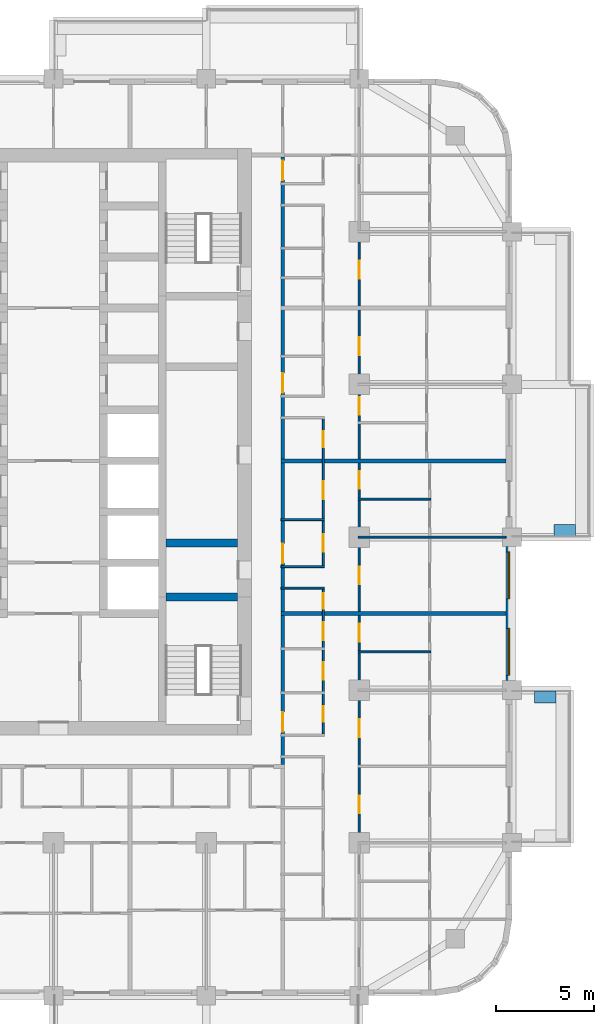
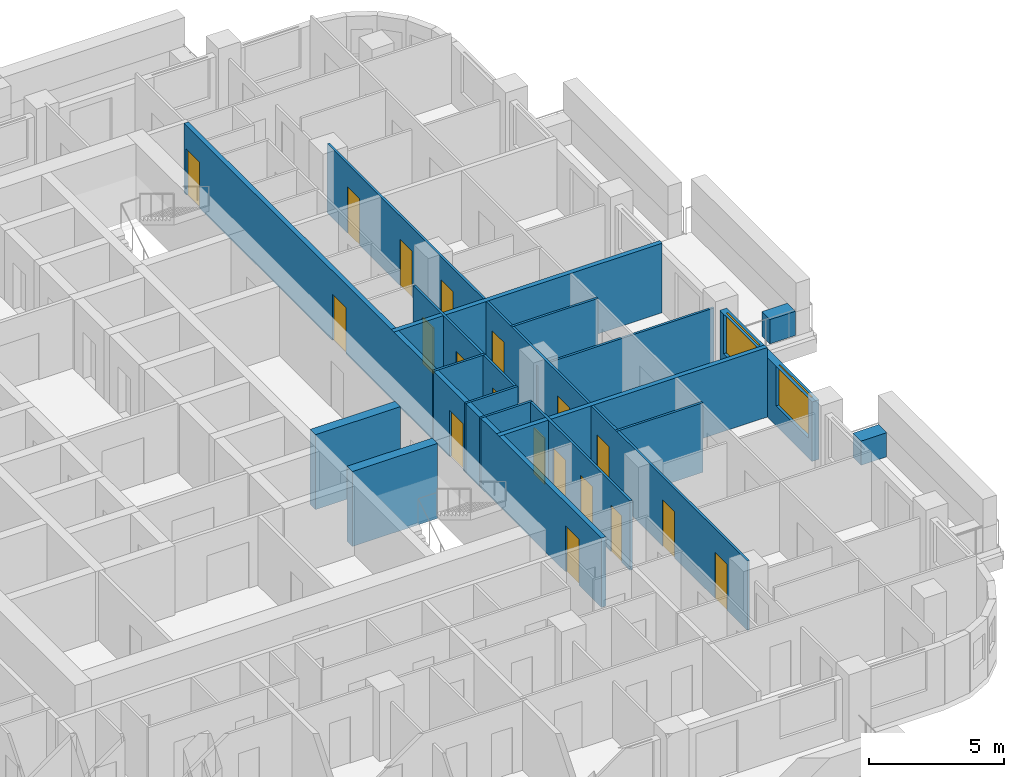
# One storey, part 9 of 18: 19 doors, 17 walls, 2 windows, 21 openings.
"""IFC4 building model written with IfcOpenShell, lengths in metres."""

from ifc_helpers import new_model, si_unit, direction, frame, frame_2d, origin, place, context, subcontext, project, spatial, rectangle, extrude, material, layer, layer_set, type_object, element, fill, save


model = new_model("IFC4")

# Units and contexts
model_context = context("Model", 3, precision=1e-05, world=origin(), true_north=direction((0.0, 1.0)))
body_context = subcontext(model_context, "Body", "Model", "MODEL_VIEW")
ifc_project = project(units=[si_unit("LENGTHUNIT", "METRE"), si_unit("AREAUNIT", "SQUARE_METRE"), si_unit("VOLUMEUNIT", "CUBIC_METRE"), si_unit("PLANEANGLEUNIT", "RADIAN"), si_unit("MASSUNIT", "GRAM", prefix="KILO")], contexts=[model_context])

# Site, building, storey
site_placement = place(None, origin())
site = spatial("IfcSite", under=ifc_project, at=site_placement, CompositionType="ELEMENT")
building_placement = place(site_placement, origin())
building = spatial("IfcBuilding", under=site, at=building_placement, Name="Ludao Terraces", CompositionType="ELEMENT")
storey_placement = place(building_placement, frame((0.0, 0.0, 75.0)))
storey = spatial("IfcBuildingStorey", under=building, at=storey_placement, Name="L20", CompositionType="ELEMENT", Elevation=75.0)

# Walls
ifc_material_1 = material(Name="Concrete C40", Category="concrete")
ifc_layer_1 = layer(ifc_material_1, 0.60009765625)
ifc_layer_set_1 = layer_set([ifc_layer_1], Name="ENV Planter trough 600")
wall_type_1 = type_object("IfcWallType", Name="ENV Planter trough 600", PredefinedType="USERDEFINED", material=ifc_layer_set_1)
for number, where, z_axis, x_axis, name in (
    (1, (110.64990234375, 56.85009765625, 0.0), (0.0, 0.0, 1.0), (-1.0, 0.0, 0.0), "PL-L20-E1-SB"),
    (2, (111.64990234375, 65.35009765625, 0.0), (0.0, 0.0, 1.0), (-1.0, 0.0, 0.0), "PL-L20-E3-SA"),
):
    element("IfcWall", number, at=place(storey_placement, frame(where, z_axis=z_axis, x_axis=x_axis)), inside=storey, type_object=wall_type_1, Name=name, ObjectType="PLANTER", PredefinedType="USERDEFINED", context=body_context, shape_type="SweptSolid", body=[
        extrude(rectangle(XDim=1.099853515625, YDim=0.60009765625, at=frame_2d((0.5498046875, 0.0))), origin(), (0.0, 0.0, 1.0), 1.10009765625),
    ])

# Wall, openings, windows
ifc_material_2 = material(Name="Granite cladding", Category="masonry")
ifc_layer_2 = layer(ifc_material_2, 0.0400390625, Category="stone")
ifc_material_3 = material(Name="Mineral wool")
ifc_layer_3 = layer(ifc_material_3, 0.06005859375)
ifc_layer_4 = layer(ifc_material_1, 0.199951171875, Category="concrete")
ifc_layer_set_2 = layer_set([ifc_layer_2, ifc_layer_3, ifc_layer_4], Name="ENV Stone-clad wall 300")
wall_type_2 = type_object("IfcWallType", Name="ENV Stone-clad wall 300", PredefinedType="SOLIDWALL", material=ifc_layer_set_2)
wall_1_placement = place(storey_placement, frame((108.25, 57.675048828125, 0.0), z_axis=(0.0, 0.0, 1.0), x_axis=(0.0, 1.0, 0.0)))
wall_1 = element("IfcWall", 3, at=wall_1_placement, inside=storey, type_object=wall_type_2, Name="EW-L20-E3", PredefinedType="SOLIDWALL", context=body_context, shape_type="SweptSolid", body=[
    extrude(rectangle(XDim=6.849853515625, YDim=0.300048828125, at=frame_2d((3.4248046875, 0.0))), origin(), (0.0, 0.0, 1.0), 2.699951171875),
])
opening_1_placement = place(wall_1_placement, frame((0.27490234375, 0.0, 0.89990234375)))
opening_1 = element("IfcOpeningElement", 4, at=opening_1_placement, cuts=wall_1, Name="Opening W1", PredefinedType="OPENING", context=body_context, shape_type="SweptSolid", body=[
    extrude(rectangle(XDim=2.39990234375, YDim=1.800048828125, at=frame_2d((1.199951171875, 0.89990234375))), frame((0.0, 0.16015625, 0.0), z_axis=(0.0, -1.0, 0.0), x_axis=(1.0, 0.0, 0.0)), (0.0, 0.0, 1.0), 0.320068359375),
])
opening_2_placement = place(wall_1_placement, frame((4.175048828125, 0.0, 0.89990234375)))
opening_2 = element("IfcOpeningElement", 5, at=opening_2_placement, cuts=wall_1, Name="Opening W1", PredefinedType="OPENING", context=body_context, shape_type="SweptSolid", body=[
    extrude(rectangle(XDim=2.39990234375, YDim=1.800048828125, at=frame_2d((1.199951171875, 0.89990234375))), frame((0.0, 0.16015625, 0.0), z_axis=(0.0, -1.0, 0.0), x_axis=(1.0, 0.0, 0.0)), (0.0, 0.0, 1.0), 0.320068359375),
])
ifc_material_4 = material(Name="Clear glass in aluminium frame", Category="aluminium")
ifc_layer_5 = layer(ifc_material_4, 0.06005859375)
ifc_layer_set_3 = layer_set([ifc_layer_5], Name="ENV Window W1 2400x1800")
window_type = type_object("IfcWindowType", Name="ENV Window W1 2400x1800", PartitioningType="DOUBLE_PANEL_VERTICAL", PredefinedType="WINDOW", material=ifc_layer_set_3)
window_1_placement = place(opening_1_placement, origin())
window_1 = element("IfcWindow", 6, at=window_1_placement, inside=storey, type_object=window_type, Name="W-L20-E3-1", OverallHeight=1.800048828125, OverallWidth=2.39990234375, PartitioningType="DOUBLE_PANEL_VERTICAL", PredefinedType="WINDOW", context=body_context, shape_type="SweptSolid", body=[
    extrude(rectangle(XDim=2.39990234375, YDim=1.800048828125, at=frame_2d((1.199951171875, 0.89990234375))), frame((0.0, 0.030029296875, 0.0), z_axis=(0.0, -1.0, 0.0), x_axis=(1.0, 0.0, 0.0)), (0.0, 0.0, 1.0), 0.06005859375),
])
fill(opening_1, window_1)
window_2_placement = place(opening_2_placement, origin())
window_2 = element("IfcWindow", 7, at=window_2_placement, inside=storey, type_object=window_type, Name="W-L20-E3-2", OverallHeight=1.800048828125, OverallWidth=2.39990234375, PartitioningType="DOUBLE_PANEL_VERTICAL", PredefinedType="WINDOW", context=body_context, shape_type="SweptSolid", body=[
    extrude(rectangle(XDim=2.39990234375, YDim=1.800048828125, at=frame_2d((1.199951171875, 0.89990234375))), frame((0.0, 0.030029296875, 0.0), z_axis=(0.0, -1.0, 0.0), x_axis=(1.0, 0.0, 0.0)), (0.0, 0.0, 1.0), 0.06005859375),
])
fill(opening_2, window_2)

# Wall, openings, doors
ifc_material_5 = material(Name="Autoclaved aerated concrete block B06 A3.5", Category="concrete")
ifc_layer_6 = layer(ifc_material_5, 0.199951171875)
ifc_layer_set_4 = layer_set([ifc_layer_6], Name="INT Entrance wall 200")
wall_type_3 = type_object("IfcWallType", Name="INT Entrance wall 200", PredefinedType="PARTITIONING", material=ifc_layer_set_4)
wall_2_placement = place(storey_placement, frame((96.699951171875, 53.400146484375, 0.0), z_axis=(0.0, 0.0, 1.0), x_axis=(0.0, 1.0, 0.0)))
wall_2 = element("IfcWall", 8, at=wall_2_placement, inside=storey, type_object=wall_type_3, Name="PW-L20-PW116", PredefinedType="PARTITIONING", context=body_context, shape_type="SweptSolid", body=[
    extrude(rectangle(XDim=31.0, YDim=0.199951171875, at=frame_2d((15.5, 0.0))), origin(), (0.0, 0.0, 1.0), 3.14990234375),
])
opening_3_placement = place(wall_2_placement, frame((1.675048828125, 0.0, 0.0)))
opening_3 = element("IfcOpeningElement", 9, at=opening_3_placement, cuts=wall_2, Name="Opening R06-056", PredefinedType="OPENING", context=body_context, shape_type="SweptSolid", body=[
    extrude(rectangle(XDim=1.0, YDim=2.10009765625, at=frame_2d((0.5, 1.050048828125))), frame((0.0, 0.10986328125, 0.0), z_axis=(0.0, -1.0, 0.0), x_axis=(1.0, 0.0, 0.0)), (0.0, 0.0, 1.0), 0.219970703125),
])
opening_4_placement = place(wall_2_placement, frame((10.27490234375, 0.0, 0.0)))
opening_4 = element("IfcOpeningElement", 10, at=opening_4_placement, cuts=wall_2, Name="Opening R06-083", PredefinedType="OPENING", context=body_context, shape_type="SweptSolid", body=[
    extrude(rectangle(XDim=1.0, YDim=2.10009765625, at=frame_2d((0.5, 1.050048828125))), frame((0.0, 0.10986328125, 0.0), z_axis=(0.0, -1.0, 0.0), x_axis=(1.0, 0.0, 0.0)), (0.0, 0.0, 1.0), 0.219970703125),
])
opening_5_placement = place(wall_2_placement, frame((18.97509765625, 0.0, 0.0)))
opening_5 = element("IfcOpeningElement", 11, at=opening_5_placement, cuts=wall_2, Name="Opening R06-112", PredefinedType="OPENING", context=body_context, shape_type="SweptSolid", body=[
    extrude(rectangle(XDim=1.0, YDim=2.10009765625, at=frame_2d((0.5, 1.050048828125))), frame((0.0, 0.10986328125, 0.0), z_axis=(0.0, -1.0, 0.0), x_axis=(1.0, 0.0, 0.0)), (0.0, 0.0, 1.0), 0.219970703125),
])
opening_6_placement = place(wall_2_placement, frame((29.824951171875, 0.0, 0.0)))
opening_6 = element("IfcOpeningElement", 12, at=opening_6_placement, cuts=wall_2, Name="Opening R06-152", PredefinedType="OPENING", context=body_context, shape_type="SweptSolid", body=[
    extrude(rectangle(XDim=1.0, YDim=2.10009765625, at=frame_2d((0.5, 1.050048828125))), frame((0.0, 0.10986328125, 0.0), z_axis=(0.0, -1.0, 0.0), x_axis=(1.0, 0.0, 0.0)), (0.0, 0.0, 1.0), 0.219970703125),
])
ifc_material_6 = material(Name="Steel Q235", Category="steel")
door_type_1 = type_object("IfcDoorType", Name="INT Flat entrance door 1000", OperationType="SINGLE_SWING_LEFT", PredefinedType="DOOR", material=ifc_material_6)
door_1_placement = place(opening_3_placement, origin())
door_1 = element("IfcDoor", 13, at=door_1_placement, inside=storey, type_object=door_type_1, Name="DOOR 056", OperationType="SINGLE_SWING_LEFT", OverallHeight=2.10009765625, OverallWidth=1.0, PredefinedType="DOOR", context=body_context, shape_type="SweptSolid", body=[
    extrude(rectangle(XDim=1.0, YDim=2.10009765625, at=frame_2d((0.5, 1.050048828125))), frame((0.0, 0.02490234375, 0.0), z_axis=(0.0, -1.0, 0.0), x_axis=(1.0, 0.0, 0.0)), (0.0, 0.0, 1.0), 0.050048828125),
])
fill(opening_3, door_1)
door_2_placement = place(opening_4_placement, origin())
door_2 = element("IfcDoor", 14, at=door_2_placement, inside=storey, type_object=door_type_1, Name="DOOR 083", OperationType="SINGLE_SWING_LEFT", OverallHeight=2.10009765625, OverallWidth=1.0, PredefinedType="DOOR", context=body_context, shape_type="SweptSolid", body=[
    extrude(rectangle(XDim=1.0, YDim=2.10009765625, at=frame_2d((0.5, 1.050048828125))), frame((0.0, 0.02490234375, 0.0), z_axis=(0.0, -1.0, 0.0), x_axis=(1.0, 0.0, 0.0)), (0.0, 0.0, 1.0), 0.050048828125),
])
fill(opening_4, door_2)
door_3_placement = place(opening_5_placement, origin())
door_3 = element("IfcDoor", 15, at=door_3_placement, inside=storey, type_object=door_type_1, Name="DOOR 112", OperationType="SINGLE_SWING_LEFT", OverallHeight=2.10009765625, OverallWidth=1.0, PredefinedType="DOOR", context=body_context, shape_type="SweptSolid", body=[
    extrude(rectangle(XDim=1.0, YDim=2.10009765625, at=frame_2d((0.5, 1.050048828125))), frame((0.0, 0.02490234375, 0.0), z_axis=(0.0, -1.0, 0.0), x_axis=(1.0, 0.0, 0.0)), (0.0, 0.0, 1.0), 0.050048828125),
])
fill(opening_5, door_3)
door_4_placement = place(opening_6_placement, origin())
door_4 = element("IfcDoor", 16, at=door_4_placement, inside=storey, type_object=door_type_1, Name="DOOR 152", OperationType="SINGLE_SWING_LEFT", OverallHeight=2.10009765625, OverallWidth=1.0, PredefinedType="DOOR", context=body_context, shape_type="SweptSolid", body=[
    extrude(rectangle(XDim=1.0, YDim=2.10009765625, at=frame_2d((0.5, 1.050048828125))), frame((0.0, 0.02490234375, 0.0), z_axis=(0.0, -1.0, 0.0), x_axis=(1.0, 0.0, 0.0)), (0.0, 0.0, 1.0), 0.050048828125),
])
fill(opening_6, door_4)

# Walls
ifc_material_7 = material(Name="Gypsum plasterboard", Category="gypsum")
ifc_layer_7 = layer(ifc_material_7, 0.012451171875, Category="gypsum")
ifc_layer_8 = layer(ifc_material_3, 0.06005859375, Name="insulation")
ifc_layer_9 = layer(ifc_material_6, 0.014892578125, Name="stud")
ifc_layer_10 = layer(ifc_material_7, 0.012451171875, Category="gypsum")
ifc_layer_set_5 = layer_set([ifc_layer_7, ifc_layer_8, ifc_layer_9, ifc_layer_10], Name="INT Partition 100")
wall_type_4 = type_object("IfcWallType", Name="INT Partition 100", PredefinedType="PARTITIONING", material=ifc_layer_set_5)
wall_3_placement = place(storey_placement, frame((100.550048828125, 59.14990234375, 0.0), z_axis=(0.0, 0.0, 1.0), x_axis=(1.0, 0.0, 0.0)))
element("IfcWall", 17, at=wall_3_placement, inside=storey, type_object=wall_type_4, Name="PW-L20-PW031", PredefinedType="PARTITIONING", context=body_context, shape_type="SweptSolid", body=[
    extrude(rectangle(XDim=3.699951171875, YDim=0.10009765625, at=frame_2d((1.85009765625, 0.0))), origin(), (0.0, 0.0, 1.0), 3.14990234375),
])
for number, where, z_axis, x_axis, name in (
    (18, (96.60009765625, 62.39990234375, 0.0), (0.0, 0.0, 1.0), (1.0, 0.0, 0.0), "PW-L20-PW036"),
    (19, (96.60009765625, 63.5, 0.0), (0.0, 0.0, 1.0), (1.0, 0.0, 0.0), "PW-L20-PW038"),
):
    element("IfcWall", number, at=place(storey_placement, frame(where, z_axis=z_axis, x_axis=x_axis)), inside=storey, type_object=wall_type_4, Name=name, PredefinedType="PARTITIONING", context=body_context, shape_type="SweptSolid", body=[
        extrude(rectangle(XDim=2.219970703125, YDim=0.10009765625, at=frame_2d((1.10986328125, 0.0))), origin(), (0.0, 0.0, 1.0), 3.14990234375),
    ])
wall_4_placement = place(storey_placement, frame((100.550048828125, 65.0, 0.0), z_axis=(0.0, 0.0, 1.0), x_axis=(1.0, 0.0, 0.0)))
element("IfcWall", 20, at=wall_4_placement, inside=storey, type_object=wall_type_4, Name="PW-L20-PW041", PredefinedType="PARTITIONING", context=body_context, shape_type="SweptSolid", body=[
    extrude(rectangle(XDim=7.550048828125, YDim=0.10009765625, at=frame_2d((3.77490234375, 0.0))), origin(), (0.0, 0.0, 1.0), 2.550048828125),
])
wall_5_placement = place(storey_placement, frame((96.60009765625, 65.89990234375, 0.0), z_axis=(0.0, 0.0, 1.0), x_axis=(1.0, 0.0, 0.0)))
element("IfcWall", 21, at=wall_5_placement, inside=storey, type_object=wall_type_4, Name="PW-L20-PW043", PredefinedType="PARTITIONING", context=body_context, shape_type="SweptSolid", body=[
    extrude(rectangle(XDim=2.219970703125, YDim=0.10009765625, at=frame_2d((1.10986328125, 0.0))), origin(), (0.0, 0.0, 1.0), 3.14990234375),
])
wall_6_placement = place(storey_placement, frame((100.550048828125, 66.949951171875, 0.0), z_axis=(0.0, 0.0, 1.0), x_axis=(1.0, 0.0, 0.0)))
element("IfcWall", 22, at=wall_6_placement, inside=storey, type_object=wall_type_4, Name="PW-L20-PW046", PredefinedType="PARTITIONING", context=body_context, shape_type="SweptSolid", body=[
    extrude(rectangle(XDim=3.699951171875, YDim=0.10009765625, at=frame_2d((1.85009765625, 0.0))), origin(), (0.0, 0.0, 1.0), 3.14990234375),
])

# Wall, openings, doors
wall_7_placement = place(storey_placement, frame((98.77001953125, 54.9501953125, 0.0), z_axis=(0.0, 0.0, 1.0), x_axis=(0.0, 1.0, 0.0)))
wall_7 = element("IfcWall", 23, at=wall_7_placement, inside=storey, type_object=wall_type_4, Name="PW-L20-PW119", PredefinedType="PARTITIONING", context=body_context, shape_type="SweptSolid", body=[
    extrude(rectangle(XDim=7.39990234375, YDim=0.10009765625, at=frame_2d((3.699951171875, 0.0))), origin(), (0.0, 0.0, 1.0), 3.14990234375),
])
opening_7_placement = place(wall_7_placement, frame((0.625, 0.0, 0.0)))
opening_7 = element("IfcOpeningElement", 24, at=opening_7_placement, cuts=wall_7, Name="Opening R06-058", PredefinedType="OPENING", context=body_context, shape_type="SweptSolid", body=[
    extrude(rectangle(XDim=0.800048828125, YDim=2.10009765625, at=frame_2d((0.39990234375, 1.050048828125))), frame((0.0, 0.06005859375, 0.0), z_axis=(0.0, -1.0, 0.0), x_axis=(1.0, 0.0, 0.0)), (0.0, 0.0, 1.0), 0.1201171875),
])
opening_8_placement = place(wall_7_placement, frame((2.77490234375, 0.0, 0.0)))
opening_8 = element("IfcOpeningElement", 25, at=opening_8_placement, cuts=wall_7, Name="Opening R06-064", PredefinedType="OPENING", context=body_context, shape_type="SweptSolid", body=[
    extrude(rectangle(XDim=0.89990234375, YDim=2.10009765625, at=frame_2d((0.449951171875, 1.050048828125))), frame((0.0, 0.06005859375, 0.0), z_axis=(0.0, -1.0, 0.0), x_axis=(1.0, 0.0, 0.0)), (0.0, 0.0, 1.0), 0.1201171875),
])
opening_9_placement = place(wall_7_placement, frame((4.7998046875, 0.0, 0.0)))
opening_9 = element("IfcOpeningElement", 26, at=opening_9_placement, cuts=wall_7, Name="Opening R06-071", PredefinedType="OPENING", context=body_context, shape_type="SweptSolid", body=[
    extrude(rectangle(XDim=0.89990234375, YDim=2.10009765625, at=frame_2d((0.449951171875, 1.050048828125))), frame((0.0, 0.06005859375, 0.0), z_axis=(0.0, -1.0, 0.0), x_axis=(1.0, 0.0, 0.0)), (0.0, 0.0, 1.0), 0.1201171875),
])
opening_10_placement = place(wall_7_placement, frame((6.39990234375, 0.0, 0.0)))
opening_10 = element("IfcOpeningElement", 27, at=opening_10_placement, cuts=wall_7, Name="Opening R06-073", PredefinedType="OPENING", context=body_context, shape_type="SweptSolid", body=[
    extrude(rectangle(XDim=0.800048828125, YDim=2.10009765625, at=frame_2d((0.39990234375, 1.050048828125))), frame((0.0, 0.06005859375, 0.0), z_axis=(0.0, -1.0, 0.0), x_axis=(1.0, 0.0, 0.0)), (0.0, 0.0, 1.0), 0.1201171875),
])
ifc_material_8 = material(Name="Timber door leaf", Category="wood")
door_type_2 = type_object("IfcDoorType", Name="INT Bathroom door 900", OperationType="SINGLE_SWING_LEFT", PredefinedType="DOOR", material=ifc_material_8)
door_5_placement = place(opening_8_placement, origin())
door_5 = element("IfcDoor", 28, at=door_5_placement, inside=storey, type_object=door_type_2, Name="DOOR 064", OperationType="SINGLE_SWING_RIGHT", OverallHeight=2.10009765625, OverallWidth=0.89990234375, PredefinedType="DOOR", context=body_context, shape_type="SweptSolid", body=[
    extrude(rectangle(XDim=0.89990234375, YDim=2.10009765625, at=frame_2d((0.449951171875, 1.050048828125))), frame((0.0, 0.02490234375, 0.0), z_axis=(0.0, -1.0, 0.0), x_axis=(1.0, 0.0, 0.0)), (0.0, 0.0, 1.0), 0.050048828125),
])
fill(opening_8, door_5)
door_6_placement = place(opening_9_placement, origin())
door_6 = element("IfcDoor", 29, at=door_6_placement, inside=storey, type_object=door_type_2, Name="DOOR 071", OperationType="SINGLE_SWING_RIGHT", OverallHeight=2.10009765625, OverallWidth=0.89990234375, PredefinedType="DOOR", context=body_context, shape_type="SweptSolid", body=[
    extrude(rectangle(XDim=0.89990234375, YDim=2.10009765625, at=frame_2d((0.449951171875, 1.050048828125))), frame((0.0, 0.02490234375, 0.0), z_axis=(0.0, -1.0, 0.0), x_axis=(1.0, 0.0, 0.0)), (0.0, 0.0, 1.0), 0.050048828125),
])
fill(opening_9, door_6)
door_type_3 = type_object("IfcDoorType", Name="INT Store door 800", OperationType="SINGLE_SWING_LEFT", PredefinedType="DOOR", material=ifc_material_8)
door_7_placement = place(opening_7_placement, origin())
door_7 = element("IfcDoor", 30, at=door_7_placement, inside=storey, type_object=door_type_3, Name="DOOR 058", OperationType="SINGLE_SWING_RIGHT", OverallHeight=2.10009765625, OverallWidth=0.800048828125, PredefinedType="DOOR", context=body_context, shape_type="SweptSolid", body=[
    extrude(rectangle(XDim=0.800048828125, YDim=2.10009765625, at=frame_2d((0.39990234375, 1.050048828125))), frame((0.0, 0.02490234375, 0.0), z_axis=(0.0, -1.0, 0.0), x_axis=(1.0, 0.0, 0.0)), (0.0, 0.0, 1.0), 0.050048828125),
])
fill(opening_7, door_7)
door_8_placement = place(opening_10_placement, origin())
door_8 = element("IfcDoor", 31, at=door_8_placement, inside=storey, type_object=door_type_3, Name="DOOR 073", OperationType="SINGLE_SWING_LEFT", OverallHeight=2.10009765625, OverallWidth=0.800048828125, PredefinedType="DOOR", context=body_context, shape_type="SweptSolid", body=[
    extrude(rectangle(XDim=0.800048828125, YDim=2.10009765625, at=frame_2d((0.39990234375, 1.050048828125))), frame((0.0, 0.02490234375, 0.0), z_axis=(0.0, -1.0, 0.0), x_axis=(1.0, 0.0, 0.0)), (0.0, 0.0, 1.0), 0.050048828125),
])
fill(opening_10, door_8)

wall_8_placement = place(storey_placement, frame((98.77001953125, 63.550048828125, 0.0), z_axis=(0.0, 0.0, 1.0), x_axis=(0.0, 1.0, 0.0)))
wall_8 = element("IfcWall", 32, at=wall_8_placement, inside=storey, type_object=wall_type_4, Name="PW-L20-PW120", PredefinedType="PARTITIONING", context=body_context, shape_type="SweptSolid", body=[
    extrude(rectangle(XDim=7.5, YDim=0.10009765625, at=frame_2d((3.75, 0.0))), origin(), (0.0, 0.0, 1.0), 3.14990234375),
])
opening_11_placement = place(wall_8_placement, frame((0.699951171875, 0.0, 0.0)))
opening_11 = element("IfcOpeningElement", 33, at=opening_11_placement, cuts=wall_8, Name="Opening R06-085", PredefinedType="OPENING", context=body_context, shape_type="SweptSolid", body=[
    extrude(rectangle(XDim=0.89990234375, YDim=2.10009765625, at=frame_2d((0.449951171875, 1.050048828125))), frame((0.0, 0.06005859375, 0.0), z_axis=(0.0, -1.0, 0.0), x_axis=(1.0, 0.0, 0.0)), (0.0, 0.0, 1.0), 0.1201171875),
])
opening_12_placement = place(wall_8_placement, frame((3.39990234375, 0.0, 0.0)))
opening_12 = element("IfcOpeningElement", 34, at=opening_12_placement, cuts=wall_8, Name="Opening R06-090", PredefinedType="OPENING", context=body_context, shape_type="SweptSolid", body=[
    extrude(rectangle(XDim=0.89990234375, YDim=2.10009765625, at=frame_2d((0.449951171875, 1.050048828125))), frame((0.0, 0.06005859375, 0.0), z_axis=(0.0, -1.0, 0.0), x_axis=(1.0, 0.0, 0.0)), (0.0, 0.0, 1.0), 0.1201171875),
])
opening_13_placement = place(wall_8_placement, frame((6.050048828125, 0.0, 0.0)))
opening_13 = element("IfcOpeningElement", 35, at=opening_13_placement, cuts=wall_8, Name="Opening R06-102", PredefinedType="OPENING", context=body_context, shape_type="SweptSolid", body=[
    extrude(rectangle(XDim=0.800048828125, YDim=2.10009765625, at=frame_2d((0.39990234375, 1.050048828125))), frame((0.0, 0.06005859375, 0.0), z_axis=(0.0, -1.0, 0.0), x_axis=(1.0, 0.0, 0.0)), (0.0, 0.0, 1.0), 0.1201171875),
])
door_9_placement = place(opening_11_placement, origin())
door_9 = element("IfcDoor", 36, at=door_9_placement, inside=storey, type_object=door_type_2, Name="DOOR 085", OperationType="SINGLE_SWING_LEFT", OverallHeight=2.10009765625, OverallWidth=0.89990234375, PredefinedType="DOOR", context=body_context, shape_type="SweptSolid", body=[
    extrude(rectangle(XDim=0.89990234375, YDim=2.10009765625, at=frame_2d((0.449951171875, 1.050048828125))), frame((0.0, 0.02490234375, 0.0), z_axis=(0.0, -1.0, 0.0), x_axis=(1.0, 0.0, 0.0)), (0.0, 0.0, 1.0), 0.050048828125),
])
fill(opening_11, door_9)
door_type_4 = type_object("IfcDoorType", Name="INT Room door 900", OperationType="SINGLE_SWING_LEFT", PredefinedType="DOOR", material=ifc_material_8)
door_10_placement = place(opening_12_placement, origin())
door_10 = element("IfcDoor", 37, at=door_10_placement, inside=storey, type_object=door_type_4, Name="DOOR 090", OperationType="SINGLE_SWING_LEFT", OverallHeight=2.10009765625, OverallWidth=0.89990234375, PredefinedType="DOOR", context=body_context, shape_type="SweptSolid", body=[
    extrude(rectangle(XDim=0.89990234375, YDim=2.10009765625, at=frame_2d((0.449951171875, 1.050048828125))), frame((0.0, 0.02490234375, 0.0), z_axis=(0.0, -1.0, 0.0), x_axis=(1.0, 0.0, 0.0)), (0.0, 0.0, 1.0), 0.050048828125),
])
fill(opening_12, door_10)
door_11_placement = place(opening_13_placement, origin())
door_11 = element("IfcDoor", 38, at=door_11_placement, inside=storey, type_object=door_type_3, Name="DOOR 102", OperationType="SINGLE_SWING_LEFT", OverallHeight=2.10009765625, OverallWidth=0.800048828125, PredefinedType="DOOR", context=body_context, shape_type="SweptSolid", body=[
    extrude(rectangle(XDim=0.800048828125, YDim=2.10009765625, at=frame_2d((0.39990234375, 1.050048828125))), frame((0.0, 0.02490234375, 0.0), z_axis=(0.0, -1.0, 0.0), x_axis=(1.0, 0.0, 0.0)), (0.0, 0.0, 1.0), 0.050048828125),
])
fill(opening_13, door_11)

wall_9_placement = place(storey_placement, frame((100.60009765625, 49.39990234375, 0.0), z_axis=(0.0, 0.0, 1.0), x_axis=(0.0, 1.0, 0.0)))
wall_9 = element("IfcWall", 39, at=wall_9_placement, inside=storey, type_object=wall_type_4, Name="PW-L20-PW123-2", PredefinedType="PARTITIONING", context=body_context, shape_type="SweptSolid", body=[
    extrude(rectangle(XDim=31.2001953125, YDim=0.10009765625, at=frame_2d((15.60009765625, 0.0))), origin(), (0.0, 0.0, 1.0), 3.14990234375),
])
opening_14_placement = place(wall_9_placement, frame((1.500244140625, 0.0, 0.0)))
opening_14 = element("IfcOpeningElement", 40, at=opening_14_placement, cuts=wall_9, Name="Opening R06-042", PredefinedType="OPENING", context=body_context, shape_type="SweptSolid", body=[
    extrude(rectangle(XDim=0.89990234375, YDim=2.10009765625, at=frame_2d((0.449951171875, 1.050048828125))), frame((0.0, 0.06005859375, 0.0), z_axis=(0.0, -1.0, 0.0), x_axis=(1.0, 0.0, 0.0)), (0.0, 0.0, 1.0), 0.1201171875),
])
opening_15_placement = place(wall_9_placement, frame((5.400146484375, 0.0, 0.0)))
opening_15 = element("IfcOpeningElement", 41, at=opening_15_placement, cuts=wall_9, Name="Opening R06-054", PredefinedType="OPENING", context=body_context, shape_type="SweptSolid", body=[
    extrude(rectangle(XDim=0.89990234375, YDim=2.10009765625, at=frame_2d((0.449951171875, 1.050048828125))), frame((0.0, 0.06005859375, 0.0), z_axis=(0.0, -1.0, 0.0), x_axis=(1.0, 0.0, 0.0)), (0.0, 0.0, 1.0), 0.1201171875),
])
opening_16_placement = place(wall_9_placement, frame((10.275146484375, 0.0, 0.0)))
opening_16 = element("IfcOpeningElement", 42, at=opening_16_placement, cuts=wall_9, Name="Opening R06-069", PredefinedType="OPENING", context=body_context, shape_type="SweptSolid", body=[
    extrude(rectangle(XDim=0.89990234375, YDim=2.10009765625, at=frame_2d((0.449951171875, 1.050048828125))), frame((0.0, 0.06005859375, 0.0), z_axis=(0.0, -1.0, 0.0), x_axis=(1.0, 0.0, 0.0)), (0.0, 0.0, 1.0), 0.1201171875),
])
opening_17_placement = place(wall_9_placement, frame((13.2001953125, 0.0, 0.0)))
opening_17 = element("IfcOpeningElement", 43, at=opening_17_placement, cuts=wall_9, Name="Opening R06-079", PredefinedType="OPENING", context=body_context, shape_type="SweptSolid", body=[
    extrude(rectangle(XDim=0.89990234375, YDim=2.10009765625, at=frame_2d((0.449951171875, 1.050048828125))), frame((0.0, 0.06005859375, 0.0), z_axis=(0.0, -1.0, 0.0), x_axis=(1.0, 0.0, 0.0)), (0.0, 0.0, 1.0), 0.1201171875),
])
opening_18_placement = place(wall_9_placement, frame((18.0751953125, 0.0, 0.0)))
opening_18 = element("IfcOpeningElement", 44, at=opening_18_placement, cuts=wall_9, Name="Opening R06-096", PredefinedType="OPENING", context=body_context, shape_type="SweptSolid", body=[
    extrude(rectangle(XDim=0.89990234375, YDim=2.10009765625, at=frame_2d((0.449951171875, 1.050048828125))), frame((0.0, 0.06005859375, 0.0), z_axis=(0.0, -1.0, 0.0), x_axis=(1.0, 0.0, 0.0)), (0.0, 0.0, 1.0), 0.1201171875),
])
opening_19_placement = place(wall_9_placement, frame((21.85009765625, 0.0, 0.0)))
opening_19 = element("IfcOpeningElement", 45, at=opening_19_placement, cuts=wall_9, Name="Opening R06-106", PredefinedType="OPENING", context=body_context, shape_type="SweptSolid", body=[
    extrude(rectangle(XDim=0.89990234375, YDim=2.10009765625, at=frame_2d((0.449951171875, 1.050048828125))), frame((0.0, 0.06005859375, 0.0), z_axis=(0.0, -1.0, 0.0), x_axis=(1.0, 0.0, 0.0)), (0.0, 0.0, 1.0), 0.1201171875),
])
opening_20_placement = place(wall_9_placement, frame((24.900146484375, 0.0, 0.0)))
opening_20 = element("IfcOpeningElement", 46, at=opening_20_placement, cuts=wall_9, Name="Opening R06-116", PredefinedType="OPENING", context=body_context, shape_type="SweptSolid", body=[
    extrude(rectangle(XDim=0.89990234375, YDim=2.10009765625, at=frame_2d((0.449951171875, 1.050048828125))), frame((0.0, 0.06005859375, 0.0), z_axis=(0.0, -1.0, 0.0), x_axis=(1.0, 0.0, 0.0)), (0.0, 0.0, 1.0), 0.1201171875),
])
opening_21_placement = place(wall_9_placement, frame((28.80029296875, 0.0, 0.0)))
opening_21 = element("IfcOpeningElement", 47, at=opening_21_placement, cuts=wall_9, Name="Opening R06-135", PredefinedType="OPENING", context=body_context, shape_type="SweptSolid", body=[
    extrude(rectangle(XDim=0.89990234375, YDim=2.10009765625, at=frame_2d((0.449951171875, 1.050048828125))), frame((0.0, 0.06005859375, 0.0), z_axis=(0.0, -1.0, 0.0), x_axis=(1.0, 0.0, 0.0)), (0.0, 0.0, 1.0), 0.1201171875),
])
door_12_placement = place(opening_14_placement, origin())
door_12 = element("IfcDoor", 48, at=door_12_placement, inside=storey, type_object=door_type_4, Name="DOOR 042", OperationType="SINGLE_SWING_RIGHT", OverallHeight=2.10009765625, OverallWidth=0.89990234375, PredefinedType="DOOR", context=body_context, shape_type="SweptSolid", body=[
    extrude(rectangle(XDim=0.89990234375, YDim=2.10009765625, at=frame_2d((0.449951171875, 1.050048828125))), frame((0.0, 0.02490234375, 0.0), z_axis=(0.0, -1.0, 0.0), x_axis=(1.0, 0.0, 0.0)), (0.0, 0.0, 1.0), 0.050048828125),
])
fill(opening_14, door_12)
door_13_placement = place(opening_15_placement, origin())
door_13 = element("IfcDoor", 49, at=door_13_placement, inside=storey, type_object=door_type_4, Name="DOOR 054", OperationType="SINGLE_SWING_RIGHT", OverallHeight=2.10009765625, OverallWidth=0.89990234375, PredefinedType="DOOR", context=body_context, shape_type="SweptSolid", body=[
    extrude(rectangle(XDim=0.89990234375, YDim=2.10009765625, at=frame_2d((0.449951171875, 1.050048828125))), frame((0.0, 0.02490234375, 0.0), z_axis=(0.0, -1.0, 0.0), x_axis=(1.0, 0.0, 0.0)), (0.0, 0.0, 1.0), 0.050048828125),
])
fill(opening_15, door_13)
door_14_placement = place(opening_16_placement, origin())
door_14 = element("IfcDoor", 50, at=door_14_placement, inside=storey, type_object=door_type_4, Name="DOOR 069", OperationType="SINGLE_SWING_RIGHT", OverallHeight=2.10009765625, OverallWidth=0.89990234375, PredefinedType="DOOR", context=body_context, shape_type="SweptSolid", body=[
    extrude(rectangle(XDim=0.89990234375, YDim=2.10009765625, at=frame_2d((0.449951171875, 1.050048828125))), frame((0.0, 0.02490234375, 0.0), z_axis=(0.0, -1.0, 0.0), x_axis=(1.0, 0.0, 0.0)), (0.0, 0.0, 1.0), 0.050048828125),
])
fill(opening_16, door_14)
door_15_placement = place(opening_17_placement, origin())
door_15 = element("IfcDoor", 51, at=door_15_placement, inside=storey, type_object=door_type_4, Name="DOOR 079", OperationType="SINGLE_SWING_RIGHT", OverallHeight=2.10009765625, OverallWidth=0.89990234375, PredefinedType="DOOR", context=body_context, shape_type="SweptSolid", body=[
    extrude(rectangle(XDim=0.89990234375, YDim=2.10009765625, at=frame_2d((0.449951171875, 1.050048828125))), frame((0.0, 0.02490234375, 0.0), z_axis=(0.0, -1.0, 0.0), x_axis=(1.0, 0.0, 0.0)), (0.0, 0.0, 1.0), 0.050048828125),
])
fill(opening_17, door_15)
door_16_placement = place(opening_18_placement, origin())
door_16 = element("IfcDoor", 52, at=door_16_placement, inside=storey, type_object=door_type_4, Name="DOOR 096", OperationType="SINGLE_SWING_LEFT", OverallHeight=2.10009765625, OverallWidth=0.89990234375, PredefinedType="DOOR", context=body_context, shape_type="SweptSolid", body=[
    extrude(rectangle(XDim=0.89990234375, YDim=2.10009765625, at=frame_2d((0.449951171875, 1.050048828125))), frame((0.0, 0.02490234375, 0.0), z_axis=(0.0, -1.0, 0.0), x_axis=(1.0, 0.0, 0.0)), (0.0, 0.0, 1.0), 0.050048828125),
])
fill(opening_18, door_16)
door_17_placement = place(opening_19_placement, origin())
door_17 = element("IfcDoor", 53, at=door_17_placement, inside=storey, type_object=door_type_4, Name="DOOR 106", OperationType="SINGLE_SWING_RIGHT", OverallHeight=2.10009765625, OverallWidth=0.89990234375, PredefinedType="DOOR", context=body_context, shape_type="SweptSolid", body=[
    extrude(rectangle(XDim=0.89990234375, YDim=2.10009765625, at=frame_2d((0.449951171875, 1.050048828125))), frame((0.0, 0.02490234375, 0.0), z_axis=(0.0, -1.0, 0.0), x_axis=(1.0, 0.0, 0.0)), (0.0, 0.0, 1.0), 0.050048828125),
])
fill(opening_19, door_17)
door_18_placement = place(opening_20_placement, origin())
door_18 = element("IfcDoor", 54, at=door_18_placement, inside=storey, type_object=door_type_4, Name="DOOR 116", OperationType="SINGLE_SWING_LEFT", OverallHeight=2.10009765625, OverallWidth=0.89990234375, PredefinedType="DOOR", context=body_context, shape_type="SweptSolid", body=[
    extrude(rectangle(XDim=0.89990234375, YDim=2.10009765625, at=frame_2d((0.449951171875, 1.050048828125))), frame((0.0, 0.02490234375, 0.0), z_axis=(0.0, -1.0, 0.0), x_axis=(1.0, 0.0, 0.0)), (0.0, 0.0, 1.0), 0.050048828125),
])
fill(opening_20, door_18)
door_19_placement = place(opening_21_placement, origin())
door_19 = element("IfcDoor", 55, at=door_19_placement, inside=storey, type_object=door_type_4, Name="DOOR 135", OperationType="SINGLE_SWING_LEFT", OverallHeight=2.10009765625, OverallWidth=0.89990234375, PredefinedType="DOOR", context=body_context, shape_type="SweptSolid", body=[
    extrude(rectangle(XDim=0.89990234375, YDim=2.10009765625, at=frame_2d((0.449951171875, 1.050048828125))), frame((0.0, 0.02490234375, 0.0), z_axis=(0.0, -1.0, 0.0), x_axis=(1.0, 0.0, 0.0)), (0.0, 0.0, 1.0), 0.050048828125),
])
fill(opening_21, door_19)

# Walls
ifc_layer_11 = layer(ifc_material_5, 0.199951171875)
ifc_layer_set_6 = layer_set([ifc_layer_11], Name="INT Party wall 200")
wall_type_5 = type_object("IfcWallType", Name="INT Party wall 200", PredefinedType="PARTITIONING", material=ifc_layer_set_6)
for number, where, z_axis, x_axis, name in (
    (56, (96.60009765625, 61.10009765625, 0.0), (0.0, 0.0, 1.0), (1.0, 0.0, 0.0), "PW-L20-PW035"),
    (57, (96.60009765625, 68.89990234375, 0.0), (0.0, 0.0, 1.0), (1.0, 0.0, 0.0), "PW-L20-PW049"),
):
    element("IfcWall", number, at=place(storey_placement, frame(where, z_axis=z_axis, x_axis=x_axis)), inside=storey, type_object=wall_type_5, Name=name, PredefinedType="PARTITIONING", context=body_context, shape_type="SweptSolid", body=[
        extrude(rectangle(XDim=11.5, YDim=0.199951171875, at=frame_2d((5.75, 0.0))), origin(), (0.0, 0.0, 1.0), 3.14990234375),
    ])
ifc_material_9 = material(Name="Concrete C60", Category="concrete")
ifc_layer_12 = layer(ifc_material_9, 0.39990234375)
ifc_layer_set_7 = layer_set([ifc_layer_12], Name="Shaft wall 400 C60")
wall_type_6 = type_object("IfcWallType", Name="Shaft wall 400 C60", PredefinedType="SOLIDWALL", material=ifc_layer_set_7)
for number, where, z_axis, x_axis, name in (
    (58, (90.75, 61.949951171875, -0.25), (0.0, 0.0, 1.0), (1.0, 0.0, 0.0), "Core wall L20 hall-E"),
    (59, (90.75, 64.699951171875, -0.25), (0.0, 0.0, 1.0), (1.0, 0.0, 0.0), "Core wall L20 riser-a-E"),
):
    element("IfcWall", number, at=place(storey_placement, frame(where, z_axis=z_axis, x_axis=x_axis)), inside=storey, type_object=wall_type_6, Name=name, PredefinedType="SOLIDWALL", context=body_context, shape_type="SweptSolid", body=[
        extrude(rectangle(XDim=3.64990234375, YDim=0.39990234375, at=frame_2d((1.824951171875, 0.0))), origin(), (0.0, 0.0, 1.0), 3.39990234375),
    ])

save(model, "model.ifc")
